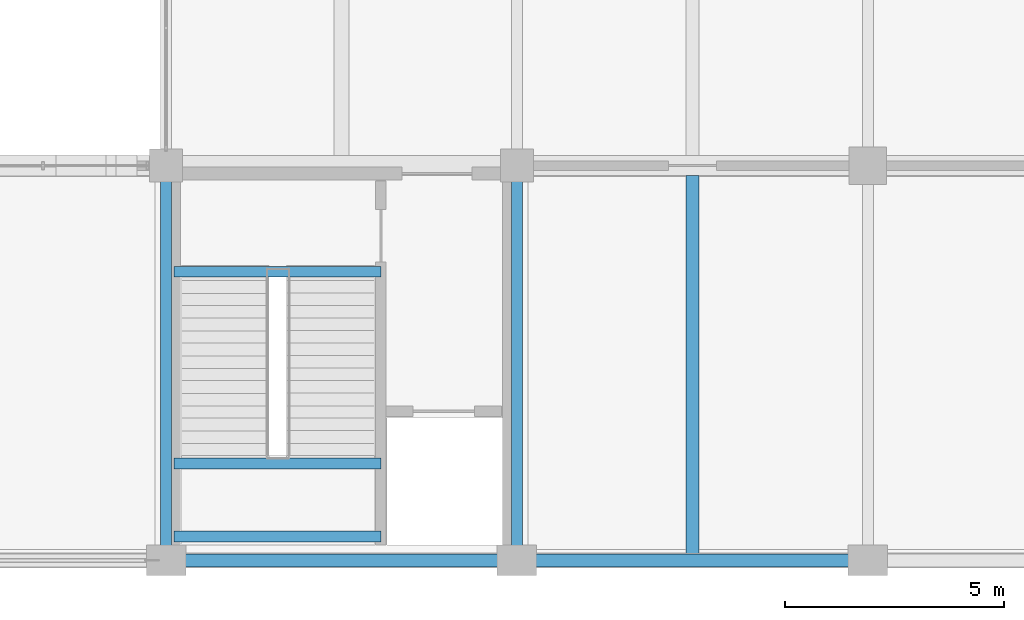
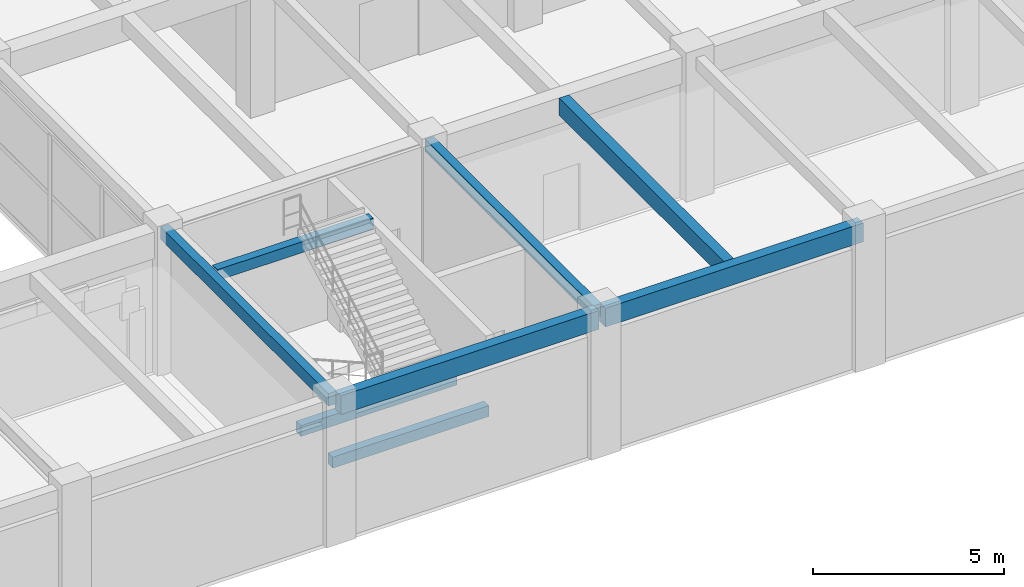
# One storey, part 74 of 144: 8 beams.
"""IFC4 building model written with IfcOpenShell, lengths in metres."""

from ifc_helpers import new_model, si_unit, direction, frame, origin, origin_2d, place, context, subcontext, project, spatial, rectangle, extrude, material, material_profile, profile_set, type_object, element, save


model = new_model("IFC4")

# Units and contexts
model_context = context("Model", 3, precision=1e-05, world=origin(), true_north=direction((0.0, 1.0)))
body_context = subcontext(model_context, "Body", "Model", "MODEL_VIEW")
ifc_project = project(units=[si_unit("LENGTHUNIT", "METRE"), si_unit("AREAUNIT", "SQUARE_METRE"), si_unit("VOLUMEUNIT", "CUBIC_METRE"), si_unit("PLANEANGLEUNIT", "RADIAN"), si_unit("MASSUNIT", "GRAM", prefix="KILO")], contexts=[model_context])

# Site, building, storey
site_placement = place(None, origin())
site = spatial("IfcSite", under=ifc_project, at=site_placement, CompositionType="ELEMENT")
building_placement = place(site_placement, origin())
building = spatial("IfcBuilding", under=site, at=building_placement, Name="Varnabhumi Central Station", CompositionType="ELEMENT")
storey_placement = place(building_placement, frame((0.0, 0.0, 4.800048828125)))
storey = spatial("IfcBuildingStorey", under=building, at=storey_placement, Name="L01", CompositionType="ELEMENT", Elevation=4.800048828125)

# Beams
ifc_material_1 = material(Name="Concrete M35", Category="concrete")
ifc_material_profile_1 = material_profile(ifc_material_1, rectangle(XDim=0.25, YDim=0.35009765625, at=origin_2d()), Name="Concrete M35", Category="concrete")
ifc_profile_set_1 = profile_set([ifc_material_profile_1], Name="Concrete M35")
beam_type_1 = type_object("IfcBeamType", Name="BM-RC-250x350", PredefinedType="LINTEL", material=ifc_profile_set_1)
for number, where, z_axis, x_axis, name in (
    (1, (144.179931640625, 0.5400390625, 2.044921875), (1.0, 0.0, 0.0), (0.0, 1.0, 0.0), "ST-S3 L01 Half Landing Support Beam 1"),
    (2, (144.179931640625, 2.205078125, 2.044921875), (1.0, 0.0, 0.0), (0.0, 1.0, 0.0), "ST-S3 L01 Half Landing Support Beam 2"),
    (3, (144.179931640625, 6.580078125, 4.375), (1.0, 0.0, 0.0), (0.0, 1.0, 0.0), "ST-S3 L01 Floor Opening Trimmer Beam"),
):
    element("IfcBeam", number, at=place(storey_placement, frame(where, z_axis=z_axis, x_axis=x_axis)), inside=storey, type_object=beam_type_1, Name=name, PredefinedType="LINTEL", context=body_context, shape_type="SweptSolid", body=[
        extrude(rectangle(XDim=0.25, YDim=0.35009765625, at=origin_2d()), origin(), (0.0, 0.0, 1.0), 4.719970703125),
    ])
ifc_material_profile_2 = material_profile(ifc_material_1, rectangle(XDim=0.25, YDim=0.39990234375, at=origin_2d()), Name="Concrete M35", Category="concrete")
ifc_profile_set_2 = profile_set([ifc_material_profile_2], Name="Concrete M35")
beam_type_2 = type_object("IfcBeamType", Name="BM-RC-250x400", PredefinedType="LINTEL", material=ifc_profile_set_2)
for number, where, z_axis, x_axis, name in (
    (4, (144.0, 0.10009765625, 4.349853515625), (0.0, 1.0, 0.0), (-1.0, 0.0, 0.0), "Beam L01-19:A-B"),
    (5, (152.0, 0.10009765625, 4.349853515625), (0.0, 1.0, 0.0), (-1.0, 0.0, 0.0), "Beam L01-20:A-B"),
):
    element("IfcBeam", number, at=place(storey_placement, frame(where, z_axis=z_axis, x_axis=x_axis)), inside=storey, type_object=beam_type_2, Name=name, PredefinedType="LINTEL", context=body_context, shape_type="SweptSolid", body=[
        extrude(rectangle(XDim=0.25, YDim=0.39990234375, at=origin_2d()), origin(), (0.0, 0.0, 1.0), 8.7998046875),
    ])
ifc_material_2 = material(Name="Concrete M40", Category="concrete")
ifc_material_profile_3 = material_profile(ifc_material_2, rectangle(XDim=0.300048828125, YDim=0.550048828125, at=origin_2d()), Name="Concrete M40", Category="concrete")
ifc_profile_set_3 = profile_set([ifc_material_profile_3], Name="Concrete M40")
beam_type_3 = type_object("IfcBeamType", Name="BM-RC-300x550", PredefinedType="JOIST", material=ifc_profile_set_3)
beam_placement = place(storey_placement, frame((156.0, 0.14990234375, 4.27490234375), z_axis=(0.0, 1.0, 0.0), x_axis=(-1.0, 0.0, 0.0)))
element("IfcBeam", 6, at=beam_placement, inside=storey, type_object=beam_type_3, Name="Secondary Joist L01-20/21:A-B", PredefinedType="JOIST", context=body_context, shape_type="SweptSolid", body=[
    extrude(rectangle(XDim=0.300048828125, YDim=0.550048828125, at=origin_2d()), origin(), (0.0, 0.0, 1.0), 8.625),
])
ifc_material_profile_4 = material_profile(ifc_material_2, rectangle(XDim=0.300048828125, YDim=0.60009765625, at=origin_2d()), Name="Concrete M40", Category="concrete")
ifc_profile_set_4 = profile_set([ifc_material_profile_4], Name="Concrete M40")
beam_type_4 = type_object("IfcBeamType", Name="BM-RC-300x600", PredefinedType="SPANDREL", material=ifc_profile_set_4)
for number, where, z_axis, x_axis, name in (
    (7, (144.10009765625, 0.0, 4.25), (1.0, 0.0, 0.0), (0.0, 1.0, 0.0), "Beam L01-A:19-20"),
    (8, (152.10009765625, 0.0, 4.25), (1.0, 0.0, 0.0), (0.0, 1.0, 0.0), "Beam L01-A:20-21"),
):
    element("IfcBeam", number, at=place(storey_placement, frame(where, z_axis=z_axis, x_axis=x_axis)), inside=storey, type_object=beam_type_4, Name=name, PredefinedType="SPANDREL", context=body_context, shape_type="SweptSolid", body=[
        extrude(rectangle(XDim=0.300048828125, YDim=0.60009765625, at=origin_2d()), origin(), (0.0, 0.0, 1.0), 7.7998046875),
    ])

save(model, "model.ifc")
